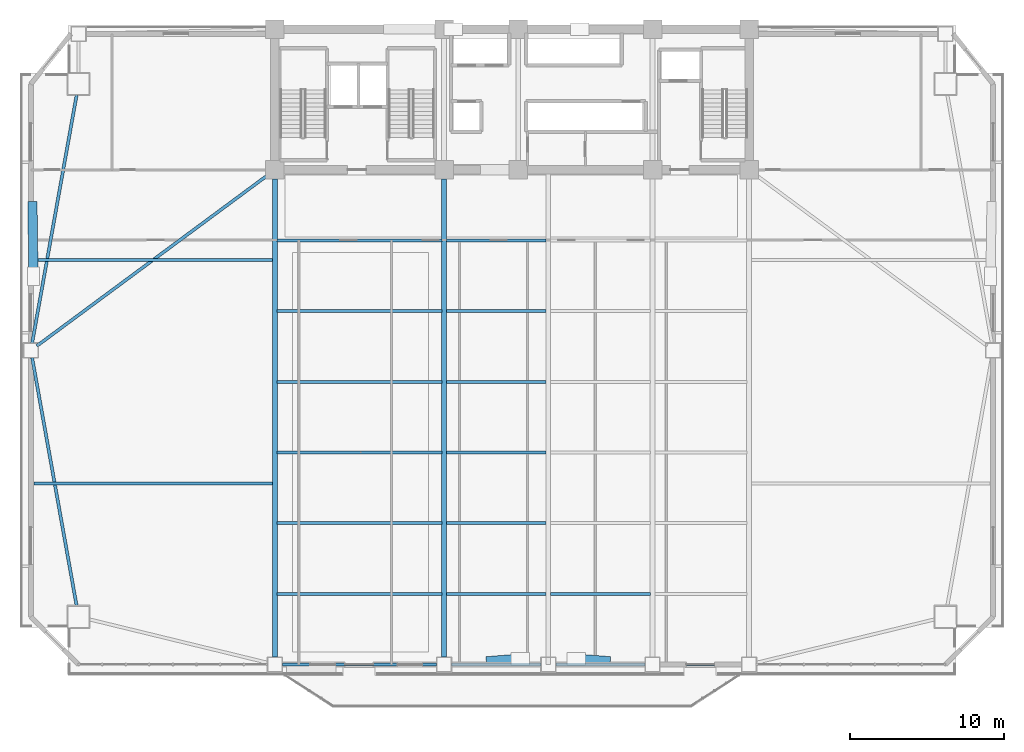
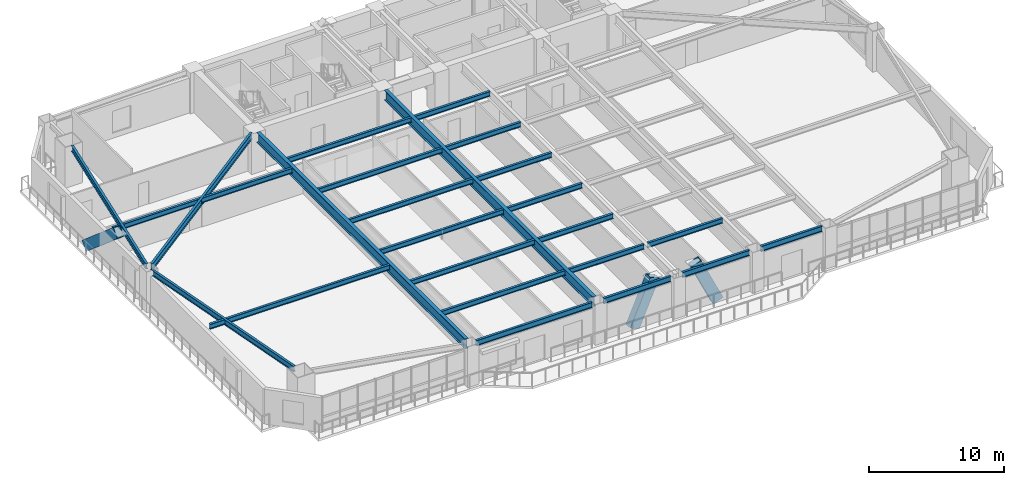
# One storey, part 3 of 16: 24 beams, 3 members.
"""IFC4 building model written with IfcOpenShell, lengths in metres."""

from ifc_helpers import new_model, si_unit, direction, frame, origin, origin_2d, place, context, subcontext, project, spatial, hollow_rectangle, i_section, extrude, source, transform, mapped, material, material_profile, profile_set, type_object, element, save


model = new_model("IFC4")

# Units and contexts
model_context = context("Model", 3, precision=1e-05, world=origin(), true_north=direction((0.0, 1.0)))
body_context = subcontext(model_context, "Body", "Model", "MODEL_VIEW")
ifc_project = project(units=[si_unit("LENGTHUNIT", "METRE"), si_unit("AREAUNIT", "SQUARE_METRE"), si_unit("VOLUMEUNIT", "CUBIC_METRE"), si_unit("PLANEANGLEUNIT", "RADIAN"), si_unit("MASSUNIT", "GRAM", prefix="KILO")], contexts=[model_context])

# Site, building, storey
site_placement = place(None, origin())
site = spatial("IfcSite", under=ifc_project, at=site_placement, CompositionType="ELEMENT")
building_placement = place(site_placement, origin())
building = spatial("IfcBuilding", under=site, at=building_placement, Name="Giltprow Tower", CompositionType="ELEMENT")
storey_placement = place(building_placement, frame((0.0, 0.0, 79.60009765625)))
storey = spatial("IfcBuildingStorey", under=building, at=storey_placement, Name="L19", CompositionType="ELEMENT", Elevation=79.60009765625)

# Beams
ifc_material_1 = material(Name="Structural steel Q355B", Category="steel")
ifc_material_profile_1 = material_profile(ifc_material_1, i_section(OverallWidth=0.199951171875, OverallDepth=0.449951171875, WebThickness=0.009033203125, FlangeThickness=0.013916015625, at=origin_2d()), Name="HN 450x200x9x14")
ifc_profile_set_1 = profile_set([ifc_material_profile_1], Name="Structural steel Q355B")
beam_type_1 = type_object("IfcBeamType", Name="BM-JOIST-HN450", PredefinedType="JOIST", material=ifc_profile_set_1)
shared_shape_1 = source(origin(), body_context, "Body", "SweptSolid", [
    extrude(i_section(OverallWidth=0.199951171875, OverallDepth=0.449951171875, WebThickness=0.009033203125, FlangeThickness=0.013916015625, at=origin_2d()), origin(), (0.0, 0.0, 1.0), 10.659912109375),
])
for number, where, z_axis, x_axis, name in (
    (1, (19.9951171875, 9.986083984375, 3.454833984375), (1.0, 0.0, 0.0), (0.0, 1.0, 0.0), "L19 Composite Floor Joist 1-1"),
    (2, (19.9951171875, 14.56396484375, 3.454833984375), (1.0, 0.0, 0.0), (0.0, 1.0, 0.0), "L19 Composite Floor Joist 2-1"),
    (3, (19.9951171875, 19.14111328125, 3.454833984375), (1.0, 0.0, 0.0), (0.0, 1.0, 0.0), "L19 Composite Floor Joist 3-1"),
    (4, (19.9951171875, 23.718017578125, 3.454833984375), (1.0, 0.0, 0.0), (0.0, 1.0, 0.0), "L19 Composite Floor Joist 4-1"),
    (5, (19.9951171875, 28.294921875, 3.454833984375), (1.0, 0.0, 0.0), (0.0, 1.0, 0.0), "L19 Composite Floor Joist 5-1"),
    (6, (19.9951171875, 32.873046875, 3.454833984375), (1.0, 0.0, 0.0), (0.0, 1.0, 0.0), "L19 Composite Floor Joist 6-1"),
):
    element("IfcBeam", number, at=place(storey_placement, frame(where, z_axis=z_axis, x_axis=x_axis)), inside=storey, type_object=beam_type_1, Name=name, PredefinedType="JOIST", context=body_context, shape_type="MappedRepresentation", body=[
        mapped(shared_shape_1, transform((0.0, 0.0, 0.0), x_axis=(1.0, 0.0, 0.0), y_axis=(0.0, 1.0, 0.0), z_axis=(0.0, 0.0, 1.0), scale=1.0)),
    ])
shared_shape_2 = source(origin(), body_context, "Body", "SweptSolid", [
    extrude(i_section(OverallWidth=0.199951171875, OverallDepth=0.449951171875, WebThickness=0.009033203125, FlangeThickness=0.013916015625, at=origin_2d()), origin(), (0.0, 0.0, 1.0), 6.4599609375),
])
for number, where, z_axis, x_axis, name in (
    (7, (30.945068359375, 9.986083984375, 3.454833984375), (1.0, 0.0, 0.0), (0.0, 1.0, 0.0), "L19 Composite Floor Joist 1-2"),
    (8, (37.695068359375, 9.986083984375, 3.454833984375), (1.0, 0.0, 0.0), (0.0, 1.0, 0.0), "L19 Composite Floor Joist 1-3"),
    (9, (30.945068359375, 14.56396484375, 3.454833984375), (1.0, 0.0, 0.0), (0.0, 1.0, 0.0), "L19 Composite Floor Joist 2-2"),
    (10, (30.945068359375, 19.14111328125, 3.454833984375), (1.0, 0.0, 0.0), (0.0, 1.0, 0.0), "L19 Composite Floor Joist 3-2"),
    (11, (30.945068359375, 23.718017578125, 3.454833984375), (1.0, 0.0, 0.0), (0.0, 1.0, 0.0), "L19 Composite Floor Joist 4-2"),
    (12, (30.945068359375, 28.294921875, 3.454833984375), (1.0, 0.0, 0.0), (0.0, 1.0, 0.0), "L19 Composite Floor Joist 5-2"),
    (13, (30.945068359375, 32.873046875, 3.454833984375), (1.0, 0.0, 0.0), (0.0, 1.0, 0.0), "L19 Composite Floor Joist 6-2"),
):
    element("IfcBeam", number, at=place(storey_placement, frame(where, z_axis=z_axis, x_axis=x_axis)), inside=storey, type_object=beam_type_1, Name=name, PredefinedType="JOIST", context=body_context, shape_type="MappedRepresentation", body=[
        mapped(shared_shape_2, transform((0.0, 0.0, 0.0), x_axis=(1.0, 0.0, 0.0), y_axis=(0.0, 1.0, 0.0), z_axis=(0.0, 0.0, 1.0), scale=1.0)),
    ])
ifc_material_profile_2 = material_profile(ifc_material_1, i_section(OverallWidth=0.199951171875, OverallDepth=0.5, WebThickness=0.010009765625, FlangeThickness=0.01611328125, at=origin_2d()), Name="HN 500x200x10x16")
ifc_profile_set_2 = profile_set([ifc_material_profile_2], Name="Structural steel Q355B")
beam_type_2 = type_object("IfcBeamType", Name="BM-SPAN-HN500", PredefinedType="SPANDREL", material=ifc_profile_set_2)
shared_shape_3 = source(origin(), body_context, "Body", "SweptSolid", [
    extrude(i_section(OverallWidth=0.199951171875, OverallDepth=0.5, WebThickness=0.010009765625, FlangeThickness=0.01611328125, at=origin_2d()), origin(), (0.0, 0.0, 1.0), 9.97998046875),
])
beam_1_placement = place(storey_placement, frame((20.3349609375, 5.408935546875, 3.429931640625), z_axis=(1.0, 0.0, 0.0), x_axis=(0.0, 1.0, 0.0)))
element("IfcBeam", 14, at=beam_1_placement, inside=storey, type_object=beam_type_2, Name="L19 Perimeter Spandrel Beam S1-S2", PredefinedType="SPANDREL", context=body_context, shape_type="MappedRepresentation", body=[
    mapped(shared_shape_3, transform((0.0, 0.0, 0.0), x_axis=(1.0, 0.0, 0.0), y_axis=(0.0, 1.0, 0.0), z_axis=(0.0, 0.0, 1.0), scale=1.0)),
])
shared_shape_4 = source(origin(), body_context, "Body", "SweptSolid", [
    extrude(i_section(OverallWidth=0.199951171875, OverallDepth=0.5, WebThickness=0.010009765625, FlangeThickness=0.01611328125, at=origin_2d()), origin(), (0.0, 0.0, 1.0), 5.780029296875),
])
for number, where, z_axis, x_axis, name in (
    (15, (31.284912109375, 5.408935546875, 3.429931640625), (1.0, 0.0, 0.0), (0.0, 1.0, 0.0), "L19 Perimeter Spandrel Beam S2-S_MID"),
    (16, (38.034912109375, 5.408935546875, 3.429931640625), (1.0, 0.0, 0.0), (0.0, 1.0, 0.0), "L19 Perimeter Spandrel Beam S_MID-S3"),
):
    element("IfcBeam", number, at=place(storey_placement, frame(where, z_axis=z_axis, x_axis=x_axis)), inside=storey, type_object=beam_type_2, Name=name, PredefinedType="SPANDREL", context=body_context, shape_type="MappedRepresentation", body=[
        mapped(shared_shape_4, transform((0.0, 0.0, 0.0), x_axis=(1.0, 0.0, 0.0), y_axis=(0.0, 1.0, 0.0), z_axis=(0.0, 0.0, 1.0), scale=1.0)),
    ])
shared_shape_5 = source(origin(), body_context, "Body", "SweptSolid", [
    extrude(i_section(OverallWidth=0.199951171875, OverallDepth=0.5, WebThickness=0.010009765625, FlangeThickness=0.01611328125, at=origin_2d()), origin(), (0.0, 0.0, 1.0), 5.280029296875),
])
beam_2_placement = place(storey_placement, frame((44.784912109375, 5.408935546875, 3.429931640625), z_axis=(1.0, 0.0, 0.0), x_axis=(0.0, 1.0, 0.0)))
element("IfcBeam", 17, at=beam_2_placement, inside=storey, type_object=beam_type_2, Name="L19 Perimeter Spandrel Beam S3-S4", PredefinedType="SPANDREL", context=body_context, shape_type="MappedRepresentation", body=[
    mapped(shared_shape_5, transform((0.0, 0.0, 0.0), x_axis=(1.0, 0.0, 0.0), y_axis=(0.0, 1.0, 0.0), z_axis=(0.0, 0.0, 1.0), scale=1.0)),
])
shared_shape_6 = source(origin(), body_context, "Body", "SweptSolid", [
    extrude(i_section(OverallWidth=0.199951171875, OverallDepth=0.5, WebThickness=0.010009765625, FlangeThickness=0.01611328125, at=origin_2d()), origin(), (0.0, 0.0, 1.0), 16.306396484375),
])
beam_3_placement = place(storey_placement, frame((4.1259765625, 25.278076171875, 3.429931640625), z_axis=(0.176625383248, -0.984278148692, 0.0), x_axis=(0.984278148692, 0.176625383248, 0.0)))
element("IfcBeam", 18, at=beam_3_placement, inside=storey, type_object=beam_type_2, Name="L19 Perimeter Spandrel Beam W_MID-MC_SW", PredefinedType="SPANDREL", context=body_context, shape_type="MappedRepresentation", body=[
    mapped(shared_shape_6, transform((0.0, 0.0, 0.0), x_axis=(1.0, 0.0, 0.0), y_axis=(0.0, 1.0, 0.0), z_axis=(0.0, 0.0, 1.0), scale=1.0)),
])
shared_shape_7 = source(origin(), body_context, "Body", "SweptSolid", [
    extrude(i_section(OverallWidth=0.199951171875, OverallDepth=0.5, WebThickness=0.010009765625, FlangeThickness=0.01611328125, at=origin_2d()), origin(), (0.0, 0.0, 1.0), 16.305419921875),
])
beam_4_placement = place(storey_placement, frame((7.006103515625, 42.281005859375, 3.429931640625), z_axis=(-0.176635795333, -0.984276280222, 0.0), x_axis=(0.984276280222, -0.176635795333, 0.0)))
element("IfcBeam", 19, at=beam_4_placement, inside=storey, type_object=beam_type_2, Name="L19 Perimeter Spandrel Beam MC_NW-W_MID", PredefinedType="SPANDREL", context=body_context, shape_type="MappedRepresentation", body=[
    mapped(shared_shape_7, transform((0.0, 0.0, 0.0), x_axis=(1.0, 0.0, 0.0), y_axis=(0.0, 1.0, 0.0), z_axis=(0.0, 0.0, 1.0), scale=1.0)),
])
ifc_material_profile_3 = material_profile(ifc_material_1, i_section(OverallWidth=0.300048828125, OverallDepth=0.89990234375, WebThickness=0.01611328125, FlangeThickness=0.028076171875, at=origin_2d()), Name="HN 900x300x16x28")
ifc_profile_set_3 = profile_set([ifc_material_profile_3], Name="Structural steel Q355B")
beam_type_3 = type_object("IfcBeamType", Name="BM-GIRD-HN900", PredefinedType="BEAM", material=ifc_profile_set_3)
shared_shape_8 = source(origin(), body_context, "Body", "SweptSolid", [
    extrude(i_section(OverallWidth=0.300048828125, OverallDepth=0.89990234375, WebThickness=0.01611328125, FlangeThickness=0.028076171875, at=origin_2d()), origin(), (0.0, 0.0, 1.0), 30.970947265625),
])
for number, where, z_axis, x_axis, name in (
    (20, (19.85009765625, 5.89404296875, 3.22998046875), (0.0, 1.0, 0.0), (-1.0, 0.0, 0.0), "L19 Primary Lease Girder S1"),
    (21, (30.800048828125, 5.89404296875, 3.22998046875), (0.0, 1.0, 0.0), (-1.0, 0.0, 0.0), "L19 Primary Lease Girder S2"),
):
    element("IfcBeam", number, at=place(storey_placement, frame(where, z_axis=z_axis, x_axis=x_axis)), inside=storey, type_object=beam_type_3, Name=name, PredefinedType="BEAM", context=body_context, shape_type="MappedRepresentation", body=[
        mapped(shared_shape_8, transform((0.0, 0.0, 0.0), x_axis=(1.0, 0.0, 0.0), y_axis=(0.0, 1.0, 0.0), z_axis=(0.0, 0.0, 1.0), scale=1.0)),
    ])
ifc_material_profile_4 = material_profile(ifc_material_1, i_section(OverallWidth=0.199951171875, OverallDepth=0.60009765625, WebThickness=0.010986328125, FlangeThickness=0.01708984375, at=origin_2d()), Name="HN 600x200x11x17")
ifc_profile_set_4 = profile_set([ifc_material_profile_4], Name="Structural steel Q355B")
beam_type_4 = type_object("IfcBeamType", Name="BM-GIRD-HN600", PredefinedType="BEAM", material=ifc_profile_set_4)
shared_shape_9 = source(origin(), body_context, "Body", "SweptSolid", [
    extrude(i_section(OverallWidth=0.199951171875, OverallDepth=0.60009765625, WebThickness=0.010986328125, FlangeThickness=0.01708984375, at=origin_2d()), origin(), (0.0, 0.0, 1.0), 18.595703125),
])
beam_5_placement = place(storey_placement, frame((4.429931640625, 26.04296875, 3.3798828125), z_axis=(0.80394170269, 0.594708112166, 0.0), x_axis=(-0.594708112166, 0.80394170269, 0.0)))
element("IfcBeam", 22, at=beam_5_placement, inside=storey, type_object=beam_type_4, Name="L19 West Wing Primary Girder", PredefinedType="BEAM", context=body_context, shape_type="MappedRepresentation", body=[
    mapped(shared_shape_9, transform((0.0, 0.0, 0.0), x_axis=(1.0, 0.0, 0.0), y_axis=(0.0, 1.0, 0.0), z_axis=(0.0, 0.0, 1.0), scale=1.0)),
])
shared_shape_10 = source(origin(), body_context, "Body", "SweptSolid", [
    extrude(i_section(OverallWidth=0.199951171875, OverallDepth=0.449951171875, WebThickness=0.009033203125, FlangeThickness=0.013916015625, at=origin_2d()), origin(), (0.0, 0.0, 1.0), 15.445068359375),
])
for number, where, z_axis, x_axis, name in (
    (23, (4.260009765625, 17.1298828125, 3.454833984375), (1.0, 0.0, 0.0), (0.0, 1.0, 0.0), "L19 West Wing Floor Joist 1"),
    (24, (4.260009765625, 31.60205078125, 3.454833984375), (1.0, 0.0, 0.0), (0.0, 1.0, 0.0), "L19 West Wing Floor Joist 2"),
):
    element("IfcBeam", number, at=place(storey_placement, frame(where, z_axis=z_axis, x_axis=x_axis)), inside=storey, type_object=beam_type_1, Name=name, PredefinedType="JOIST", context=body_context, shape_type="MappedRepresentation", body=[
        mapped(shared_shape_10, transform((0.0, 0.0, 0.0), x_axis=(1.0, 0.0, 0.0), y_axis=(0.0, 1.0, 0.0), z_axis=(0.0, 0.0, 1.0), scale=1.0)),
    ])

# Members
ifc_material_2 = material(Name="Structural steel Q420GJC", Category="steel")
ifc_material_profile_5 = material_profile(ifc_material_2, hollow_rectangle(XDim=0.60009765625, YDim=0.89990234375, WallThickness=0.0400390625, at=origin_2d()), Name="RHS 900x600x40")
ifc_profile_set_5 = profile_set([ifc_material_profile_5], Name="Structural steel Q420GJC")
member_type = type_object("IfcMemberType", Name="MBR-MEGA-RHS900", PredefinedType="BRACE", material=ifc_profile_set_5)
shared_shape_11 = source(origin(), body_context, "Body", "SweptSolid", [
    extrude(hollow_rectangle(XDim=0.60009765625, YDim=0.89990234375, WallThickness=0.0400390625, at=origin_2d()), origin(), (0.0, 0.0, 1.0), 4.298828125),
])
for number, where, z_axis, x_axis, name in (
    (25, (33.944091796875, 5.654052734375, 0.0), (0.419412871562, 0.032769292741, 0.90720395536), (-0.077893956943, 0.99696164995, 0.0), "L19 Chevron Mega-Brace S-L"),
    (26, (41.156005859375, 5.654052734375, 0.0), (-0.419412871562, 0.032769292741, 0.90720395536), (-0.077893956943, -0.99696164995, 0.0), "L19 Chevron Mega-Brace S-R"),
):
    element("IfcMember", number, at=place(storey_placement, frame(where, z_axis=z_axis, x_axis=x_axis)), inside=storey, type_object=member_type, Name=name, PredefinedType="BRACE", context=body_context, shape_type="MappedRepresentation", body=[
        mapped(shared_shape_11, transform((0.0, 0.0, 0.0), x_axis=(1.0, 0.0, 0.0), y_axis=(0.0, 1.0, 0.0), z_axis=(0.0, 0.0, 1.0), scale=1.0)),
    ])
shared_shape_12 = source(origin(), body_context, "Body", "SweptSolid", [
    extrude(hollow_rectangle(XDim=0.60009765625, YDim=0.89990234375, WallThickness=0.0400390625, at=origin_2d()), origin(), (0.0, 0.0, 1.0), 5.98388671875),
])
member_placement = place(storey_placement, frame((4.14892578125, 35.093017578125, 0.0), z_axis=(0.010526237957, -0.758378725333, 0.651729167122), x_axis=(0.999903687791, 0.013878585725, 0.0)))
element("IfcMember", 27, at=member_placement, inside=storey, type_object=member_type, Name="L19 Chevron Mega-Brace W-R", PredefinedType="BRACE", context=body_context, shape_type="MappedRepresentation", body=[
    mapped(shared_shape_12, transform((0.0, 0.0, 0.0), x_axis=(1.0, 0.0, 0.0), y_axis=(0.0, 1.0, 0.0), z_axis=(0.0, 0.0, 1.0), scale=1.0)),
])

save(model, "model.ifc")
